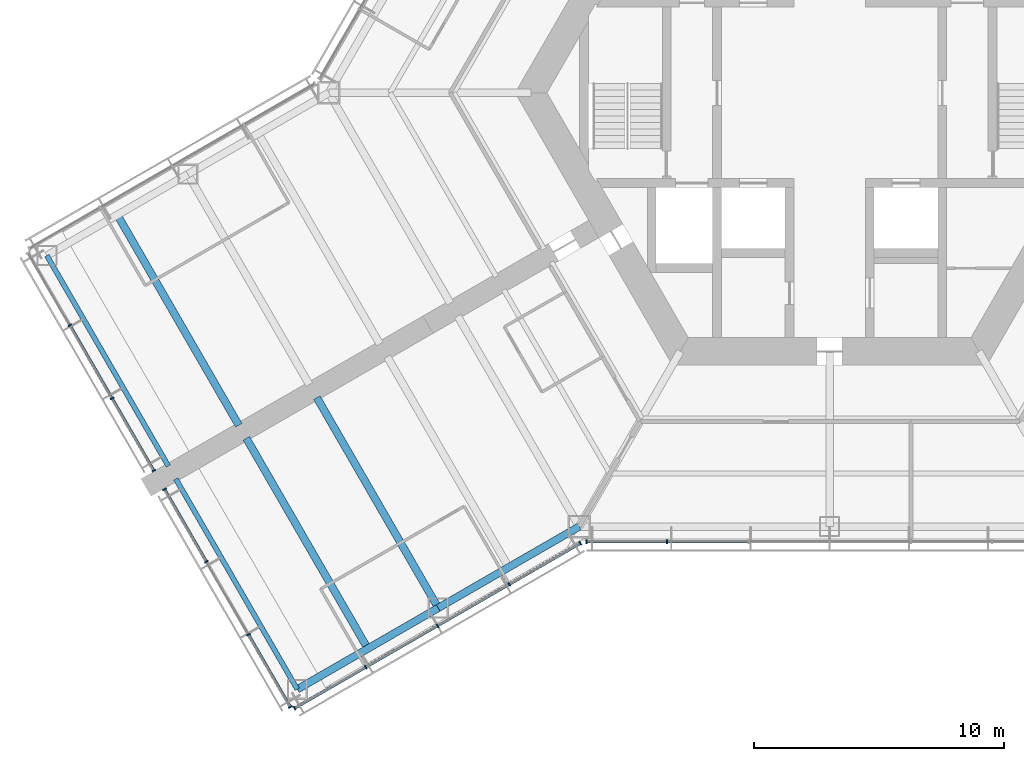
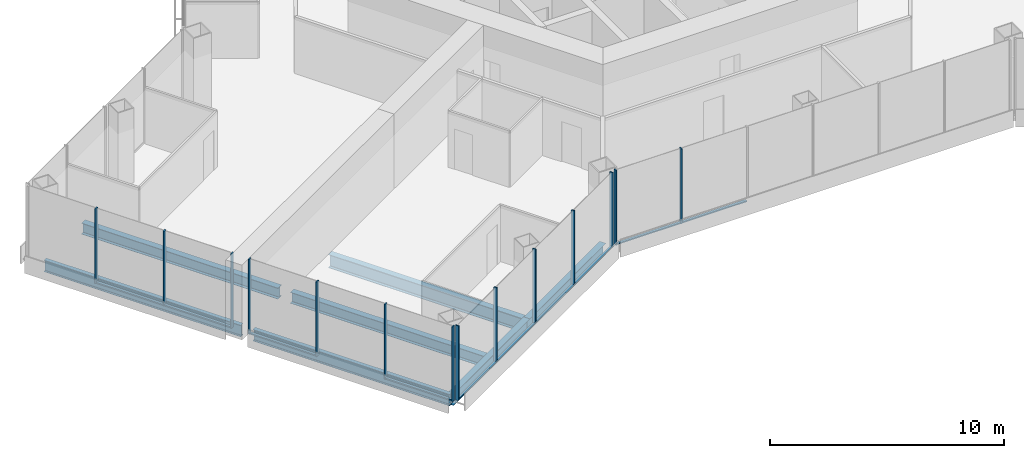
# One storey, part 2 of 18: 24 members, 7 beams, 4 elements without a shape of their own.
"""IFC4 building model written with IfcOpenShell, lengths in metres."""

from ifc_helpers import new_model, si_unit, direction, frame, origin, origin_2d, place, context, subcontext, project, spatial, rectangle, i_section, extrude, material, material_profile, profile_set, type_object, element, aggregate, save


model = new_model("IFC4")

# Units and contexts
model_context = context("Model", 3, precision=1e-05, world=origin(), true_north=direction((0.0, 1.0)))
body_context = subcontext(model_context, "Body", "Model", "MODEL_VIEW")
ifc_project = project(units=[si_unit("LENGTHUNIT", "METRE"), si_unit("AREAUNIT", "SQUARE_METRE"), si_unit("VOLUMEUNIT", "CUBIC_METRE"), si_unit("PLANEANGLEUNIT", "RADIAN"), si_unit("MASSUNIT", "GRAM", prefix="KILO")], contexts=[model_context])

# Site, building, storey
site_placement = place(None, origin())
site = spatial("IfcSite", under=ifc_project, at=site_placement, CompositionType="ELEMENT")
building_placement = place(site_placement, origin())
building = spatial("IfcBuilding", under=site, at=building_placement, Name="Kasaneha Research Tower", CompositionType="ELEMENT")
storey_placement = place(building_placement, frame((0.0, 0.0, 69.0)))
storey = spatial("IfcBuildingStorey", under=building, at=storey_placement, Name="L17", CompositionType="ELEMENT", Elevation=69.0)

# Beams
ifc_material_1 = material(Name="Steel SN490B", Category="steel")
ifc_material_profile_1 = material_profile(ifc_material_1, i_section(OverallWidth=0.300048828125, OverallDepth=0.58203125, WebThickness=0.011962890625, FlangeThickness=0.01708984375, FilletRadius=0.012939453125, at=origin_2d()), Name="H-582x300x12x17")
ifc_profile_set_1 = profile_set([ifc_material_profile_1], Name="Steel SN490B")
beam_type_1 = type_object("IfcBeamType", Name="B2-3 secondary beam H-582x300x12x17", PredefinedType="JOIST", material=ifc_profile_set_1)
for number, where, z_axis, x_axis, name in (
    (1, (-28.44384765625, -4.875, -0.44091796875), (0.500010041276, -0.866019606374, 0.0), (0.866019606374, 0.500010041276, 0.0), "Secondary beam WBBP2 L17"),
    (2, (-18.44384765625, -22.195556640625, -0.44091796875), (-0.499991164321, 0.866030505006, 0.0), (-0.866030505006, -0.499991164321, 0.0), "Secondary beam WBBN2 L17"),
):
    element("IfcBeam", number, at=place(storey_placement, frame(where, z_axis=z_axis, x_axis=x_axis)), inside=storey, type_object=beam_type_1, Name=name, PredefinedType="JOIST", context=body_context, shape_type="SweptSolid", body=[
        extrude(i_section(OverallWidth=0.300048828125, OverallDepth=0.58203125, WebThickness=0.011962890625, FlangeThickness=0.01708984375, FilletRadius=0.012939453125, at=origin_2d()), origin(), (0.0, 0.0, 1.0), 9.699951171875),
    ])

# Curtain wall, members
ifc_material_2 = material(Name="Glass and aluminium", Category="aluminium")
curtain_wall_type = type_object("IfcCurtainWallType", Name="Low-rise office curtain wall", PredefinedType="USERDEFINED", material=ifc_material_2)
curtain_wall_1_placement = place(storey_placement, origin())
curtain_wall_1 = element("IfcCurtainWall", 3, at=curtain_wall_1_placement, inside=storey, type_object=curtain_wall_type, Name="CW-O1 L17 run 01a", ObjectType="UNITISED CURTAIN WALL", PredefinedType="USERDEFINED")
ifc_material_3 = material(Name="Aluminium 6063-T6", Category="aluminium")
ifc_material_profile_2 = material_profile(ifc_material_3, rectangle(XDim=0.06005859375, YDim=0.159912109375, at=origin_2d()), Name="CW-O1 mullion 60x160")
ifc_profile_set_2 = profile_set([ifc_material_profile_2], Name="Aluminium 6063-T6")
member_type_1 = type_object("IfcMemberType", Name="CW-O1 mullion", PredefinedType="MULLION", material=ifc_profile_set_2)
member_1_placement = place(storey_placement, frame((-21.365478515625, -24.5751953125, 0.0), z_axis=(0.0, 0.0, 1.0), x_axis=(0.866025411464, 0.499999986699, 0.0)))
member_1 = element("IfcMember", 4, at=member_1_placement, type_object=member_type_1, Name="CW-O1 mullion 1", PredefinedType="MULLION", context=body_context, shape_type="SweptSolid", body=[
    extrude(rectangle(XDim=0.06005859375, YDim=0.159912109375, at=origin_2d()), origin(), (0.0, 0.0, 1.0), 3.89990234375),
])
member_2_placement = place(storey_placement, frame((-18.52490234375, -22.935302734375, 0.0), z_axis=(0.0, 0.0, 1.0), x_axis=(0.866025411464, 0.499999986699, 0.0)))
member_2 = element("IfcMember", 5, at=member_2_placement, type_object=member_type_1, Name="CW-O1 mullion 2", PredefinedType="MULLION", context=body_context, shape_type="SweptSolid", body=[
    extrude(rectangle(XDim=0.06005859375, YDim=0.159912109375, at=origin_2d()), origin(), (0.0, 0.0, 1.0), 3.89990234375),
])
member_3_placement = place(storey_placement, frame((-15.65869140625, -21.2802734375, 0.0), z_axis=(0.0, 0.0, 1.0), x_axis=(0.866025411464, 0.499999986699, 0.0)))
member_3 = element("IfcMember", 6, at=member_3_placement, type_object=member_type_1, Name="CW-O1 mullion 3", PredefinedType="MULLION", context=body_context, shape_type="SweptSolid", body=[
    extrude(rectangle(XDim=0.06005859375, YDim=0.159912109375, at=origin_2d()), origin(), (0.0, 0.0, 1.0), 3.89990234375),
])
member_4_placement = place(storey_placement, frame((-12.792236328125, -19.62548828125, 0.0), z_axis=(0.0, 0.0, 1.0), x_axis=(0.866025411464, 0.499999986699, 0.0)))
member_4 = element("IfcMember", 7, at=member_4_placement, type_object=member_type_1, Name="CW-O1 mullion 4", PredefinedType="MULLION", context=body_context, shape_type="SweptSolid", body=[
    extrude(rectangle(XDim=0.06005859375, YDim=0.159912109375, at=origin_2d()), origin(), (0.0, 0.0, 1.0), 3.89990234375),
])
member_5_placement = place(storey_placement, frame((-9.951904296875, -17.985595703125, 0.0), z_axis=(0.0, 0.0, 1.0), x_axis=(0.866025411464, 0.499999986699, 0.0)))
member_5 = element("IfcMember", 8, at=member_5_placement, type_object=member_type_1, Name="CW-O1 mullion 5", PredefinedType="MULLION", context=body_context, shape_type="SweptSolid", body=[
    extrude(rectangle(XDim=0.06005859375, YDim=0.159912109375, at=origin_2d()), origin(), (0.0, 0.0, 1.0), 3.89990234375),
])

curtain_wall_2_placement = place(storey_placement, origin())
curtain_wall_2 = element("IfcCurtainWall", 9, at=curtain_wall_2_placement, inside=storey, type_object=curtain_wall_type, Name="CW-O1 L17 run 02a", ObjectType="UNITISED CURTAIN WALL", PredefinedType="USERDEFINED")
member_6_placement = place(storey_placement, frame((-9.709228515625, -17.92041015625, 0.0), z_axis=(0.0, 0.0, 1.0), x_axis=(1.0, 0.0, 0.0)))
member_6 = element("IfcMember", 10, at=member_6_placement, type_object=member_type_1, Name="CW-O1 mullion 1", PredefinedType="MULLION", context=body_context, shape_type="SweptSolid", body=[
    extrude(rectangle(XDim=0.06005859375, YDim=0.159912109375, at=origin_2d()), origin(), (0.0, 0.0, 1.0), 3.89990234375),
])
member_7_placement = place(storey_placement, frame((-6.492919921875, -17.92041015625, 0.0), z_axis=(0.0, 0.0, 1.0), x_axis=(1.0, 0.0, 0.0)))
member_7 = element("IfcMember", 11, at=member_7_placement, type_object=member_type_1, Name="CW-O1 mullion 2", PredefinedType="MULLION", context=body_context, shape_type="SweptSolid", body=[
    extrude(rectangle(XDim=0.06005859375, YDim=0.159912109375, at=origin_2d()), origin(), (0.0, 0.0, 1.0), 3.89990234375),
])

curtain_wall_3_placement = place(storey_placement, origin())
curtain_wall_3 = element("IfcCurtainWall", 12, at=curtain_wall_3_placement, inside=storey, type_object=curtain_wall_type, Name="CW-O1 L17 run 14a", ObjectType="UNITISED CURTAIN WALL", PredefinedType="USERDEFINED")
member_8_placement = place(storey_placement, frame((-30.3447265625, -9.28271484375, 0.0), z_axis=(0.0, 0.0, 1.0), x_axis=(0.500000011442, -0.866025397178, 0.0)))
member_8 = element("IfcMember", 13, at=member_8_placement, type_object=member_type_1, Name="CW-O1 mullion 2", PredefinedType="MULLION", context=body_context, shape_type="SweptSolid", body=[
    extrude(rectangle(XDim=0.06005859375, YDim=0.159912109375, at=origin_2d()), origin(), (0.0, 0.0, 1.0), 3.89990234375),
])
member_9_placement = place(storey_placement, frame((-28.661376953125, -12.1982421875, 0.0), z_axis=(0.0, 0.0, 1.0), x_axis=(0.500000011442, -0.866025397178, 0.0)))
member_9 = element("IfcMember", 14, at=member_9_placement, type_object=member_type_1, Name="CW-O1 mullion 3", PredefinedType="MULLION", context=body_context, shape_type="SweptSolid", body=[
    extrude(rectangle(XDim=0.06005859375, YDim=0.159912109375, at=origin_2d()), origin(), (0.0, 0.0, 1.0), 3.89990234375),
])
member_10_placement = place(storey_placement, frame((-26.992919921875, -15.087890625, 0.0), z_axis=(0.0, 0.0, 1.0), x_axis=(0.500000011442, -0.866025397178, 0.0)))
member_10 = element("IfcMember", 15, at=member_10_placement, type_object=member_type_1, Name="CW-O1 mullion 4", PredefinedType="MULLION", context=body_context, shape_type="SweptSolid", body=[
    extrude(rectangle(XDim=0.06005859375, YDim=0.159912109375, at=origin_2d()), origin(), (0.0, 0.0, 1.0), 3.89990234375),
])

curtain_wall_4_placement = place(storey_placement, origin())
curtain_wall_4 = element("IfcCurtainWall", 16, at=curtain_wall_4_placement, inside=storey, type_object=curtain_wall_type, Name="CW-O1 L17 run 15a", ObjectType="UNITISED CURTAIN WALL", PredefinedType="USERDEFINED")
member_11_placement = place(storey_placement, frame((-26.56298828125, -15.832763671875, 0.0), z_axis=(0.0, 0.0, 1.0), x_axis=(0.500000011442, -0.866025397178, 0.0)))
member_11 = element("IfcMember", 17, at=member_11_placement, type_object=member_type_1, Name="CW-O1 mullion 1", PredefinedType="MULLION", context=body_context, shape_type="SweptSolid", body=[
    extrude(rectangle(XDim=0.06005859375, YDim=0.159912109375, at=origin_2d()), origin(), (0.0, 0.0, 1.0), 3.89990234375),
])
member_12_placement = place(storey_placement, frame((-24.89453125, -18.72216796875, 0.0), z_axis=(0.0, 0.0, 1.0), x_axis=(0.500000011442, -0.866025397178, 0.0)))
member_12 = element("IfcMember", 18, at=member_12_placement, type_object=member_type_1, Name="CW-O1 mullion 2", PredefinedType="MULLION", context=body_context, shape_type="SweptSolid", body=[
    extrude(rectangle(XDim=0.06005859375, YDim=0.159912109375, at=origin_2d()), origin(), (0.0, 0.0, 1.0), 3.89990234375),
])
member_13_placement = place(storey_placement, frame((-23.211181640625, -21.637939453125, 0.0), z_axis=(0.0, 0.0, 1.0), x_axis=(0.500000011442, -0.866025397178, 0.0)))
member_13 = element("IfcMember", 19, at=member_13_placement, type_object=member_type_1, Name="CW-O1 mullion 3", PredefinedType="MULLION", context=body_context, shape_type="SweptSolid", body=[
    extrude(rectangle(XDim=0.06005859375, YDim=0.159912109375, at=origin_2d()), origin(), (0.0, 0.0, 1.0), 3.89990234375),
])
member_14_placement = place(storey_placement, frame((-21.54296875, -24.527587890625, 0.0), z_axis=(0.0, 0.0, 1.0), x_axis=(0.500000011442, -0.866025397178, 0.0)))
member_14 = element("IfcMember", 20, at=member_14_placement, type_object=member_type_1, Name="CW-O1 mullion 4", PredefinedType="MULLION", context=body_context, shape_type="SweptSolid", body=[
    extrude(rectangle(XDim=0.06005859375, YDim=0.159912109375, at=origin_2d()), origin(), (0.0, 0.0, 1.0), 3.89990234375),
])

# Member
ifc_material_4 = material(Name="Aluminium 6063-T6", Category="aluminium")
ifc_material_profile_3 = material_profile(ifc_material_4, rectangle(XDim=0.1201171875, YDim=0.06005859375, at=origin_2d()), Name="CW-O1 transom 120x60")
ifc_profile_set_3 = profile_set([ifc_material_profile_3], Name="Aluminium 6063-T6")
member_type_2 = type_object("IfcMemberType", Name="CW-O1 transom", PredefinedType="USERDEFINED", material=ifc_profile_set_3)
member_15_placement = place(storey_placement, frame((-21.33935546875, -24.56005859375, 0.030029296875), z_axis=(0.866022692473, 0.500004696101, 0.0), x_axis=(-0.500004696101, 0.866022692473, 0.0)))
member_15 = element("IfcMember", 21, at=member_15_placement, type_object=member_type_2, Name="CW-O1 transom 1", ObjectType="TRANSOM", PredefinedType="USERDEFINED", context=body_context, shape_type="SweptSolid", body=[
    extrude(rectangle(XDim=0.1201171875, YDim=0.06005859375, at=origin_2d()), origin(), (0.0, 0.0, 1.0), 3.2197265625),
])

member_16_placement = place(storey_placement, frame((-18.4990234375, -22.920166015625, 0.030029296875), z_axis=(0.86604797581, 0.499960902066, 0.0), x_axis=(-0.499960902066, 0.86604797581, 0.0)))
member_16 = element("IfcMember", 22, at=member_16_placement, type_object=member_type_2, Name="CW-O1 transom 2", ObjectType="TRANSOM", PredefinedType="USERDEFINED", context=body_context, shape_type="SweptSolid", body=[
    extrude(rectangle(XDim=0.1201171875, YDim=0.06005859375, at=origin_2d()), origin(), (0.0, 0.0, 1.0), 3.249755859375),
])

member_17_placement = place(storey_placement, frame((-15.632568359375, -21.265380859375, 0.030029296875), z_axis=(0.866015446554, 0.500017246033, 0.0), x_axis=(-0.500017246033, 0.866015446554, 0.0)))
member_17 = element("IfcMember", 23, at=member_17_placement, type_object=member_type_2, Name="CW-O1 transom 3", ObjectType="TRANSOM", PredefinedType="USERDEFINED", context=body_context, shape_type="SweptSolid", body=[
    extrude(rectangle(XDim=0.1201171875, YDim=0.06005859375, at=origin_2d()), origin(), (0.0, 0.0, 1.0), 3.25),
])

member_18_placement = place(storey_placement, frame((-12.76611328125, -19.6103515625, 0.030029296875), z_axis=(0.866022692473, 0.500004696101, 0.0), x_axis=(-0.500004696101, 0.866022692473, 0.0)))
member_18 = element("IfcMember", 24, at=member_18_placement, type_object=member_type_2, Name="CW-O1 transom 4", ObjectType="TRANSOM", PredefinedType="USERDEFINED", context=body_context, shape_type="SweptSolid", body=[
    extrude(rectangle(XDim=0.1201171875, YDim=0.06005859375, at=origin_2d()), origin(), (0.0, 0.0, 1.0), 3.2197265625),
])

aggregate(curtain_wall_1, [member_1, member_2, member_3, member_4, member_5, member_15, member_16, member_17, member_18])

member_19_placement = place(storey_placement, frame((-9.67919921875, -17.92041015625, 0.030029296875), z_axis=(1.0, 0.0, 0.0), x_axis=(0.0, 1.0, 0.0)))
member_19 = element("IfcMember", 25, at=member_19_placement, type_object=member_type_2, Name="CW-O1 transom 1", ObjectType="TRANSOM", PredefinedType="USERDEFINED", context=body_context, shape_type="SweptSolid", body=[
    extrude(rectangle(XDim=0.1201171875, YDim=0.06005859375, at=origin_2d()), origin(), (0.0, 0.0, 1.0), 3.156494140625),
])

member_20_placement = place(storey_placement, frame((-6.462890625, -17.92041015625, 0.030029296875), z_axis=(1.0, 0.0, 0.0), x_axis=(0.0, 1.0, 0.0)))
member_20 = element("IfcMember", 26, at=member_20_placement, type_object=member_type_2, Name="CW-O1 transom 2", ObjectType="TRANSOM", PredefinedType="USERDEFINED", context=body_context, shape_type="SweptSolid", body=[
    extrude(rectangle(XDim=0.1201171875, YDim=0.06005859375, at=origin_2d()), origin(), (0.0, 0.0, 1.0), 3.1865234375),
])

aggregate(curtain_wall_2, [member_6, member_7, member_19, member_20])

member_21_placement = place(storey_placement, frame((-30.32958984375, -9.30859375, 0.030029296875), z_axis=(0.499982354831, -0.866035590988, 0.0), x_axis=(0.866035590988, 0.499982354831, 0.0)))
member_21 = element("IfcMember", 27, at=member_21_placement, type_object=member_type_2, Name="CW-O1 transom 2", ObjectType="TRANSOM", PredefinedType="USERDEFINED", context=body_context, shape_type="SweptSolid", body=[
    extrude(rectangle(XDim=0.1201171875, YDim=0.06005859375, at=origin_2d()), origin(), (0.0, 0.0, 1.0), 3.306640625),
])

member_22_placement = place(storey_placement, frame((-28.646240234375, -12.22412109375, 0.030029296875), z_axis=(0.499969700927, -0.866042896256, 0.0), x_axis=(0.866042896256, 0.499969700927, 0.0)))
member_22 = element("IfcMember", 28, at=member_22_placement, type_object=member_type_2, Name="CW-O1 transom 3", ObjectType="TRANSOM", PredefinedType="USERDEFINED", context=body_context, shape_type="SweptSolid", body=[
    extrude(rectangle(XDim=0.1201171875, YDim=0.06005859375, at=origin_2d()), origin(), (0.0, 0.0, 1.0), 3.276611328125),
])

aggregate(curtain_wall_3, [member_8, member_9, member_10, member_21, member_22])

member_23_placement = place(storey_placement, frame((-26.5478515625, -15.858642578125, 0.030029296875), z_axis=(0.499969700927, -0.866042896256, 0.0), x_axis=(0.866042896256, 0.499969700927, 0.0)))
member_23 = element("IfcMember", 29, at=member_23_placement, type_object=member_type_2, Name="CW-O1 transom 1", ObjectType="TRANSOM", PredefinedType="USERDEFINED", context=body_context, shape_type="SweptSolid", body=[
    extrude(rectangle(XDim=0.1201171875, YDim=0.06005859375, at=origin_2d()), origin(), (0.0, 0.0, 1.0), 3.276611328125),
])

member_24_placement = place(storey_placement, frame((-23.1962890625, -21.663818359375, 0.030029296875), z_axis=(0.500025583411, -0.866010632691, 0.0), x_axis=(0.866010632691, 0.500025583411, 0.0)))
member_24 = element("IfcMember", 30, at=member_24_placement, type_object=member_type_2, Name="CW-O1 transom 3", ObjectType="TRANSOM", PredefinedType="USERDEFINED", context=body_context, shape_type="SweptSolid", body=[
    extrude(rectangle(XDim=0.1201171875, YDim=0.06005859375, at=origin_2d()), origin(), (0.0, 0.0, 1.0), 3.276611328125),
])

aggregate(curtain_wall_4, [member_11, member_12, member_13, member_14, member_23, member_24])

# Beams
ifc_material_5 = material(Name="Steel SN490B", Category="steel")
ifc_material_profile_4 = material_profile(ifc_material_5, i_section(OverallWidth=0.300048828125, OverallDepth=0.699951171875, WebThickness=0.012939453125, FlangeThickness=0.02392578125, FilletRadius=0.01806640625, at=origin_2d()), Name="H-700x300x13x24")
ifc_profile_set_4 = profile_set([ifc_material_profile_4], Name="Steel SN490B")
beam_type_2 = type_object("IfcBeamType", Name="G4-3 wing girder H-700x300x13x24", PredefinedType="BEAM", material=ifc_profile_set_4)
beam_placement = place(storey_placement, frame((-15.629150390625, -20.570556640625, -0.5), z_axis=(-0.500010041276, 0.866019606374, 0.0), x_axis=(-0.866019606374, -0.500010041276, 0.0)))
element("IfcBeam", 31, at=beam_placement, inside=storey, type_object=beam_type_2, Name="Wing girder WGBN L17", PredefinedType="BEAM", context=body_context, shape_type="SweptSolid", body=[
    extrude(i_section(OverallWidth=0.300048828125, OverallDepth=0.699951171875, WebThickness=0.012939453125, FlangeThickness=0.02392578125, FilletRadius=0.01806640625, at=origin_2d()), origin(), (0.0, 0.0, 1.0), 9.699951171875),
])
ifc_material_6 = material(Name="Steel SN490B", Category="steel")
ifc_material_profile_5 = material_profile(ifc_material_6, i_section(OverallWidth=0.300048828125, OverallDepth=0.58203125, WebThickness=0.011962890625, FlangeThickness=0.01708984375, FilletRadius=0.012939453125, at=origin_2d()), Name="H-582x300x12x17")
ifc_profile_set_5 = profile_set([ifc_material_profile_5], Name="Steel SN490B")
beam_type_3 = type_object("IfcBeamType", Name="SB2-3 spandrel beam H-582x300x12x17", PredefinedType="SPANDREL", material=ifc_profile_set_5)
for number, where, z_axis, x_axis, name in (
    (32, (-10.0, -17.320556640625, -0.44091796875), (-0.866024837091, -0.50000098154, 0.0), (0.50000098154, -0.866024837091, 0.0), "Spandrel beam WSBN1 L17"),
    (33, (-15.629150390625, -20.570556640625, -0.44091796875), (-0.866024837091, -0.50000098154, 0.0), (0.50000098154, -0.866024837091, 0.0), "Spandrel beam WSBN2 L17"),
):
    element("IfcBeam", number, at=place(storey_placement, frame(where, z_axis=z_axis, x_axis=x_axis)), inside=storey, type_object=beam_type_3, Name=name, PredefinedType="SPANDREL", context=body_context, shape_type="SweptSolid", body=[
        extrude(i_section(OverallWidth=0.300048828125, OverallDepth=0.58203125, WebThickness=0.011962890625, FlangeThickness=0.01708984375, FilletRadius=0.012939453125, at=origin_2d()), origin(), (0.0, 0.0, 1.0), 6.5),
    ])
ifc_material_7 = material(Name="Steel SN490B", Category="steel")
ifc_material_profile_6 = material_profile(ifc_material_7, i_section(OverallWidth=0.199951171875, OverallDepth=0.60009765625, WebThickness=0.010986328125, FlangeThickness=0.01708984375, FilletRadius=0.012939453125, at=origin_2d()), Name="H-600x200x11x17")
ifc_profile_set_6 = profile_set([ifc_material_profile_6], Name="Steel SN490B")
beam_type_4 = type_object("IfcBeamType", Name="SB3-3 spandrel beam H-600x200x11x17", PredefinedType="SPANDREL", material=ifc_profile_set_6)
for number, where, z_axis, x_axis, name in (
    (34, (-31.25830078125, -6.5, -0.449951171875), (0.499991164321, -0.866030505006, 0.0), (0.866030505006, 0.499991164321, 0.0), "Spandrel beam WTBP L17"),
    (35, (-21.25830078125, -23.820556640625, -0.449951171875), (-0.500010041276, 0.866019606374, 0.0), (-0.866019606374, -0.500010041276, 0.0), "Spandrel beam WTBN L17"),
):
    element("IfcBeam", number, at=place(storey_placement, frame(where, z_axis=z_axis, x_axis=x_axis)), inside=storey, type_object=beam_type_4, Name=name, PredefinedType="SPANDREL", context=body_context, shape_type="SweptSolid", body=[
        extrude(i_section(OverallWidth=0.199951171875, OverallDepth=0.60009765625, WebThickness=0.010986328125, FlangeThickness=0.01708984375, FilletRadius=0.012939453125, at=origin_2d()), origin(), (0.0, 0.0, 1.0), 9.699951171875),
    ])

save(model, "model.ifc")
